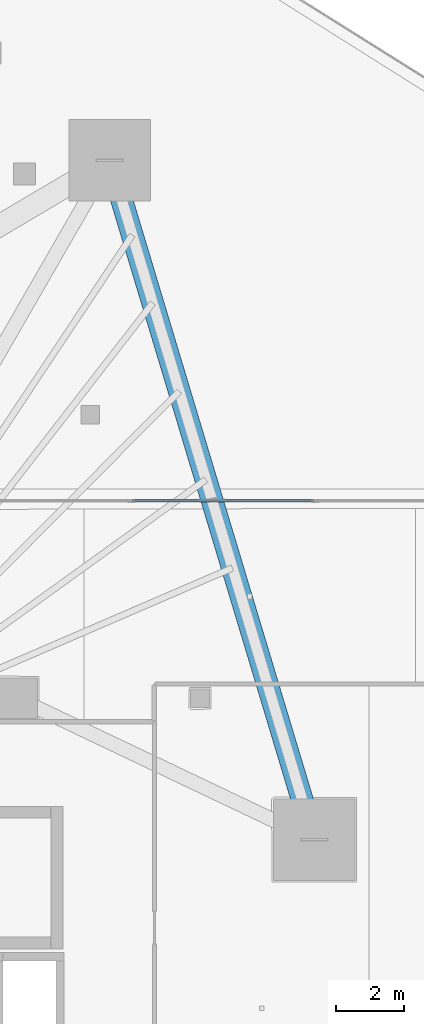
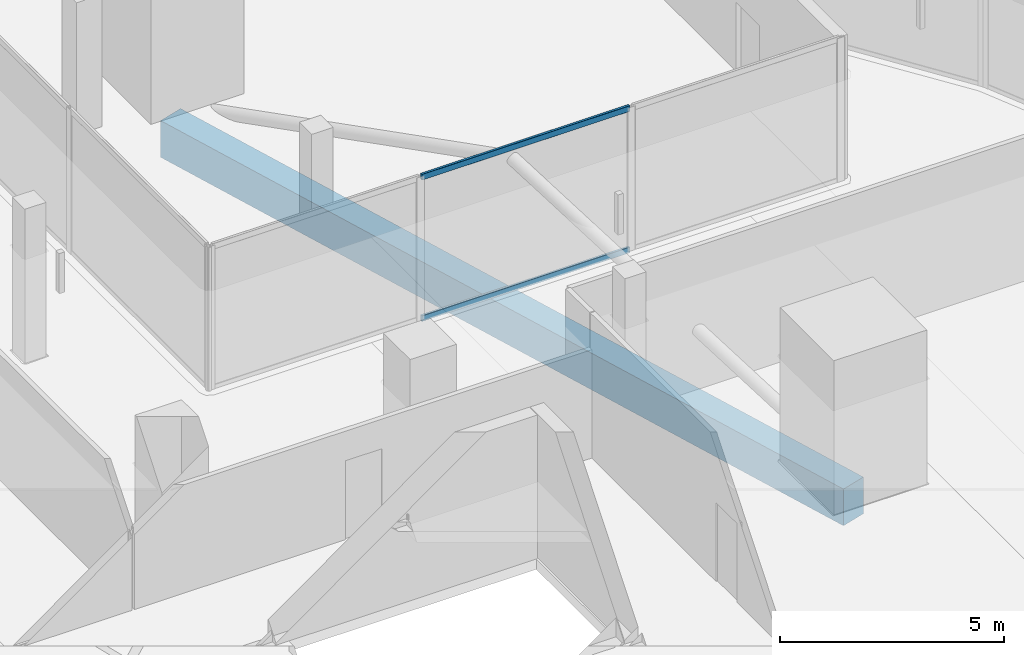
# One storey, part 21 of 44: 2 members, 1 beam, 1 element without a shape of its own.
"""IFC4 building model written with IfcOpenShell, lengths in metres."""

from ifc_helpers import new_model, si_unit, direction, frame, origin, origin_2d, place, context, subcontext, project, spatial, rectangle, hollow_rectangle, extrude, material, layer, layer_set, material_profile, profile_set, type_object, element, aggregate, save


model = new_model("IFC4")

# Units and contexts
model_context = context("Model", 3, precision=1e-05, world=origin(), true_north=direction((0.0, 1.0)))
body_context = subcontext(model_context, "Body", "Model", "MODEL_VIEW")
ifc_project = project(units=[si_unit("LENGTHUNIT", "METRE"), si_unit("AREAUNIT", "SQUARE_METRE"), si_unit("VOLUMEUNIT", "CUBIC_METRE"), si_unit("PLANEANGLEUNIT", "RADIAN"), si_unit("MASSUNIT", "GRAM", prefix="KILO")], contexts=[model_context])

# Site, building, storey
site_placement = place(None, origin())
site = spatial("IfcSite", under=ifc_project, at=site_placement, CompositionType="ELEMENT")
building_placement = place(site_placement, origin())
building = spatial("IfcBuilding", under=site, at=building_placement, Name="Qorvath Tower", CompositionType="ELEMENT")
storey_placement = place(building_placement, frame((0.0, 0.0, 78.60009765625)))
storey = spatial("IfcBuildingStorey", under=building, at=storey_placement, Name="L17", CompositionType="ELEMENT", Elevation=78.60009765625)

# Beam
ifc_material_1 = material(Name="Concrete C50/60", Category="concrete")
ifc_material_profile_1 = material_profile(ifc_material_1, rectangle(XDim=0.64990234375, YDim=1.0, at=origin_2d()), Name="RCB 1000x650")
ifc_profile_set_1 = profile_set([ifc_material_profile_1], Name="Concrete C50/60")
beam_type = type_object("IfcBeamType", Name="BM-RCB1", PredefinedType="SPANDREL", material=ifc_profile_set_1)
beam_placement = place(storey_placement, frame((-8.430419921875, 7.2763671875, -0.780029296875), z_axis=(-0.288118908799, 0.957594639914, 0.0), x_axis=(-0.957594639914, -0.288118908799, 0.0)))
element("IfcBeam", 1, at=beam_placement, inside=storey, type_object=beam_type, Name="Perimeter Loggia Frame Beam MC5-MC6 L17", PredefinedType="SPANDREL", context=body_context, shape_type="SweptSolid", body=[
    extrude(rectangle(XDim=0.64990234375, YDim=1.0, at=origin_2d()), origin(), (0.0, 0.0, 1.0), 20.942626953125),
])

# Curtain wall, members
ifc_material_2 = material(Name="Anodised aluminium and triple low-E glass", Category="aluminium")
ifc_layer = layer(ifc_material_2, 0.179931640625)
ifc_layer_set = layer_set([ifc_layer], Name="CW-SYS-5")
curtain_wall_type = type_object("IfcCurtainWallType", Name="CW-SYS-5", PredefinedType="NOTDEFINED", material=ifc_layer_set)
curtain_wall_placement = place(storey_placement, origin())
curtain_wall = element("IfcCurtainWall", 2, at=curtain_wall_placement, inside=storey, type_object=curtain_wall_type, Name="Curtain Wall CW-5 CW-T-L17-2.1", PredefinedType="NOTDEFINED")
ifc_material_3 = material(Name="Anodised aluminium 6063-T6", Category="aluminium")
ifc_material_profile_2 = material_profile(ifc_material_3, hollow_rectangle(XDim=0.06494140625, YDim=0.159912109375, WallThickness=0.00341796875, InnerFilletRadius=0.00341796875, OuterFilletRadius=0.007080078125, at=origin_2d()), Name="CWT 160x65")
ifc_profile_set_2 = profile_set([ifc_material_profile_2], Name="Anodised aluminium 6063-T6")
member_type = type_object("IfcMemberType", Name="CWT-160", PredefinedType="USERDEFINED", material=ifc_profile_set_2)
member_1_placement = place(storey_placement, frame((-8.4375, 17.280029296875, 0.032470703125), z_axis=(-1.0, 0.0, 0.0), x_axis=(0.0, -1.0, 0.0)))
member_1 = element("IfcMember", 3, at=member_1_placement, type_object=member_type, Name="CW-5 transom 2.1", ObjectType="TRANSOM", PredefinedType="USERDEFINED", context=body_context, shape_type="SweptSolid", body=[
    extrude(hollow_rectangle(XDim=0.06494140625, YDim=0.159912109375, WallThickness=0.00341796875, InnerFilletRadius=0.00341796875, OuterFilletRadius=0.007080078125, at=origin_2d()), origin(), (0.0, 0.0, 1.0), 5.364990234375),
])
member_2_placement = place(storey_placement, frame((-8.4375, 17.280029296875, 3.887451171875), z_axis=(-1.0, 0.0, 0.0), x_axis=(0.0, -1.0, 0.0)))
member_2 = element("IfcMember", 4, at=member_2_placement, type_object=member_type, Name="CW-5 transom 2.2", ObjectType="TRANSOM", PredefinedType="USERDEFINED", context=body_context, shape_type="SweptSolid", body=[
    extrude(hollow_rectangle(XDim=0.06494140625, YDim=0.159912109375, WallThickness=0.00341796875, InnerFilletRadius=0.00341796875, OuterFilletRadius=0.007080078125, at=origin_2d()), origin(), (0.0, 0.0, 1.0), 5.364990234375),
])
aggregate(curtain_wall, [member_1, member_2])

save(model, "model.ifc")
